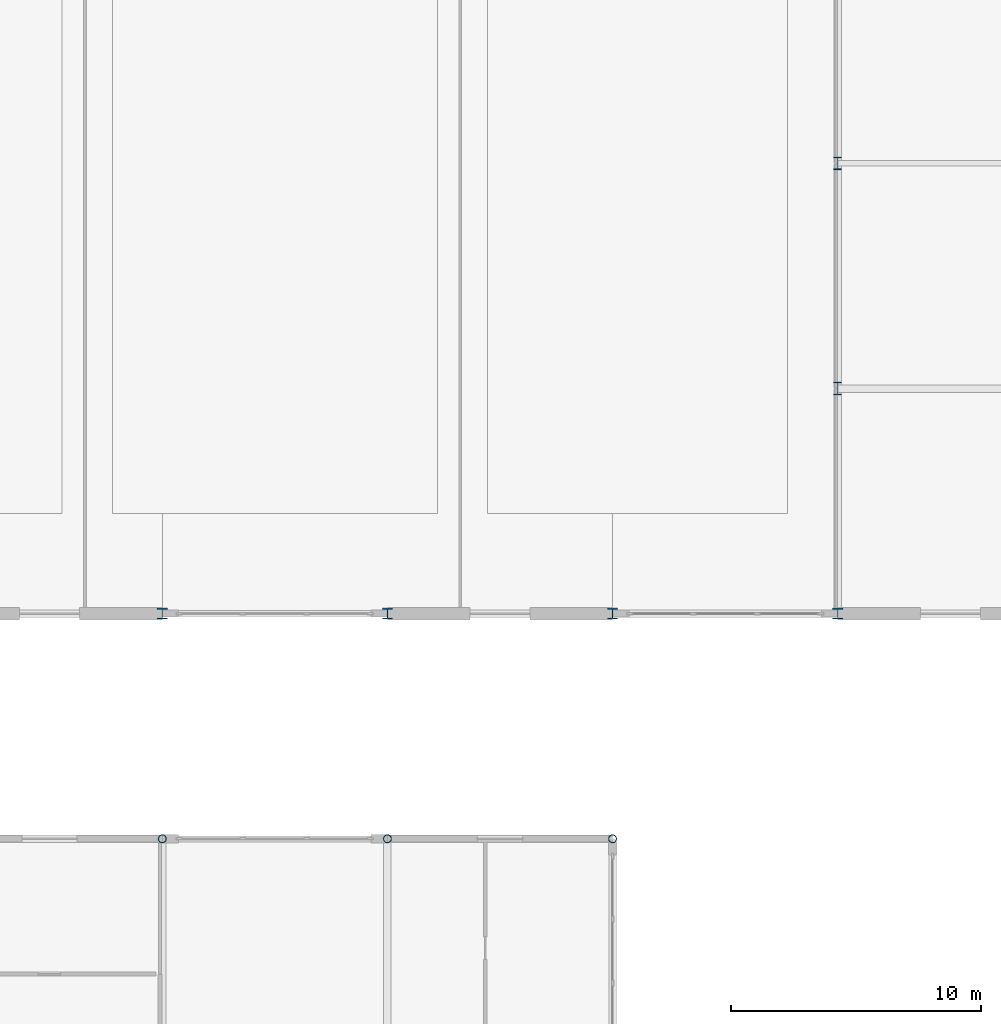
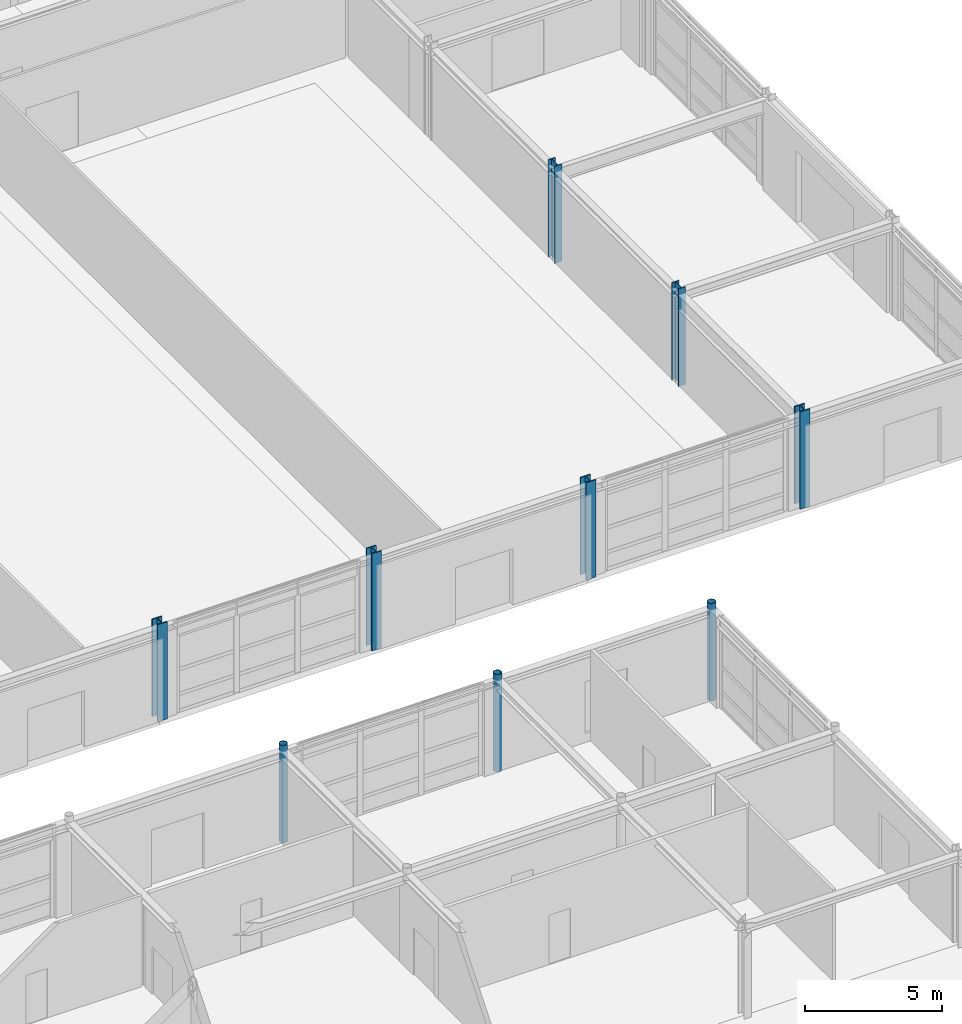
# One storey, part 18 of 72: 9 columns.
"""IFC4 building model written with IfcOpenShell, lengths in metres."""

from ifc_helpers import new_model, si_unit, direction, frame, origin, origin_2d, place, context, subcontext, project, spatial, hollow_circle, i_section, extrude, material, material_profile, profile_set, type_object, element, save


model = new_model("IFC4")

# Units and contexts
model_context = context("Model", 3, precision=1e-05, world=origin(), true_north=direction((0.0, 1.0)))
body_context = subcontext(model_context, "Body", "Model", "MODEL_VIEW")
ifc_project = project(units=[si_unit("LENGTHUNIT", "METRE"), si_unit("AREAUNIT", "SQUARE_METRE"), si_unit("VOLUMEUNIT", "CUBIC_METRE"), si_unit("PLANEANGLEUNIT", "RADIAN"), si_unit("MASSUNIT", "GRAM", prefix="KILO")], contexts=[model_context])

# Site, building, storey
site_placement = place(None, origin())
site = spatial("IfcSite", under=ifc_project, at=site_placement, CompositionType="ELEMENT")
building_placement = place(site_placement, origin())
building = spatial("IfcBuilding", under=site, at=building_placement, Name="Palais des Congres Ocreval", CompositionType="ELEMENT")
storey_placement = place(building_placement, origin())
storey = spatial("IfcBuildingStorey", under=building, at=storey_placement, Name="L00", CompositionType="ELEMENT", Elevation=0.0)

# Columns
ifc_material_1 = material(Name="Steel S355", Category="steel")
ifc_material_profile_1 = material_profile(ifc_material_1, hollow_circle(Radius=0.161865234375, WallThickness=0.01611328125, at=origin_2d()), Name="CHS 323.9x16")
ifc_profile_set_1 = profile_set([ifc_material_profile_1], Name="Steel S355")
column_type_1 = type_object("IfcColumnType", Name="Column CHS 323.9x16 Steel S355", PredefinedType="COLUMN", material=ifc_profile_set_1)
for number, where, z_axis, x_axis, name in (
    (1, (126.0, 63.0, 0.0), (0.0, 0.0, 1.0), (1.0, 0.0, 0.0), "Column C16 L00"),
    (2, (135.0, 63.0, 0.0), (0.0, 0.0, 1.0), (1.0, 0.0, 0.0), "Column C16 L00"),
    (3, (144.0, 63.0, 0.0), (0.0, 0.0, 1.0), (1.0, 0.0, 0.0), "Column C16 L00"),
):
    element("IfcColumn", number, at=place(storey_placement, frame(where, z_axis=z_axis, x_axis=x_axis)), inside=storey, type_object=column_type_1, Name=name, PredefinedType="COLUMN", context=body_context, shape_type="SweptSolid", body=[
        extrude(hollow_circle(Radius=0.161865234375, WallThickness=0.01611328125, at=origin_2d()), origin(), (0.0, 0.0, 1.0), 4.320068359375),
    ])
ifc_material_2 = material(Name="Steel S460", Category="steel")
ifc_material_profile_2 = material_profile(ifc_material_2, i_section(OverallWidth=0.412109375, OverallDepth=0.43505859375, WebThickness=0.027099609375, FlangeThickness=0.0458984375, at=origin_2d()), Name="HD 400x463")
ifc_profile_set_2 = profile_set([ifc_material_profile_2], Name="Steel S460")
column_type_2 = type_object("IfcColumnType", Name="Column HD 400x463 Steel S460", PredefinedType="COLUMN", material=ifc_profile_set_2)
for number, where, z_axis, x_axis, name in (
    (4, (126.0, 72.0, 0.0), (0.0, 0.0, 1.0), (1.0, 0.0, 0.0), "Column C02 L00"),
    (5, (135.0, 72.0, 0.0), (0.0, 0.0, 1.0), (1.0, 0.0, 0.0), "Column C02 L00"),
    (6, (144.0, 72.0, 0.0), (0.0, 0.0, 1.0), (1.0, 0.0, 0.0), "Column C02 L00"),
    (7, (153.0, 72.0, 0.0), (0.0, 0.0, 1.0), (1.0, 0.0, 0.0), "Column C02 L00"),
):
    element("IfcColumn", number, at=place(storey_placement, frame(where, z_axis=z_axis, x_axis=x_axis)), inside=storey, type_object=column_type_2, Name=name, PredefinedType="COLUMN", context=body_context, shape_type="SweptSolid", body=[
        extrude(i_section(OverallWidth=0.412109375, OverallDepth=0.43505859375, WebThickness=0.027099609375, FlangeThickness=0.0458984375, at=origin_2d()), origin(), (0.0, 0.0, 1.0), 4.320068359375),
    ])
ifc_material_profile_3 = material_profile(ifc_material_1, i_section(OverallWidth=0.300048828125, OverallDepth=0.5, WebThickness=0.014404296875, FlangeThickness=0.028076171875, at=origin_2d()), Name="HEB 500")
ifc_profile_set_3 = profile_set([ifc_material_profile_3], Name="Steel S355")
column_type_3 = type_object("IfcColumnType", Name="Column HEB 500 Steel S355", PredefinedType="COLUMN", material=ifc_profile_set_3)
for number, where, z_axis, x_axis, name in (
    (8, (153.0, 81.0, 0.0), (0.0, 0.0, 1.0), (1.0, 0.0, 0.0), "Column C08 L00"),
    (9, (153.0, 90.0, 0.0), (0.0, 0.0, 1.0), (1.0, 0.0, 0.0), "Column C08 L00"),
):
    element("IfcColumn", number, at=place(storey_placement, frame(where, z_axis=z_axis, x_axis=x_axis)), inside=storey, type_object=column_type_3, Name=name, PredefinedType="COLUMN", context=body_context, shape_type="SweptSolid", body=[
        extrude(i_section(OverallWidth=0.300048828125, OverallDepth=0.5, WebThickness=0.014404296875, FlangeThickness=0.028076171875, at=origin_2d()), origin(), (0.0, 0.0, 1.0), 4.320068359375),
    ])

save(model, "model.ifc")
